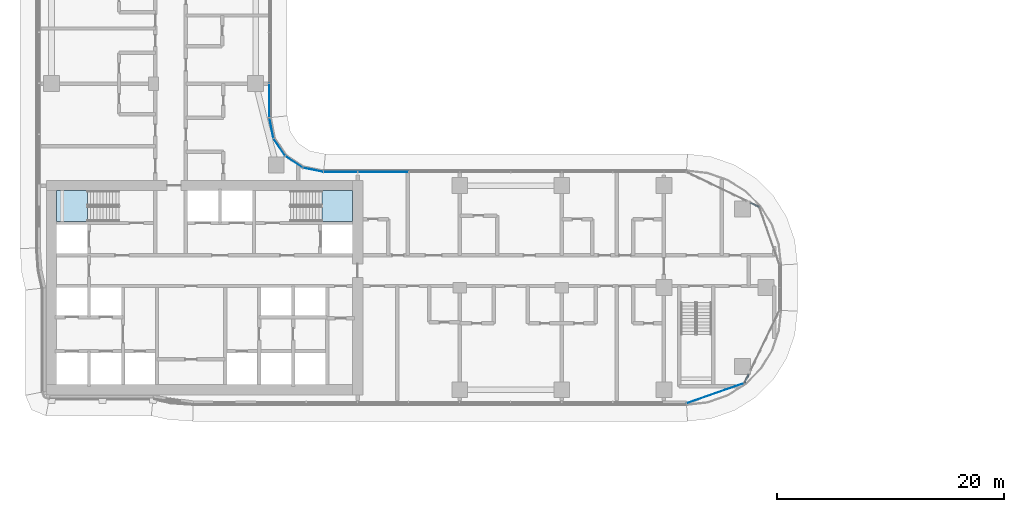
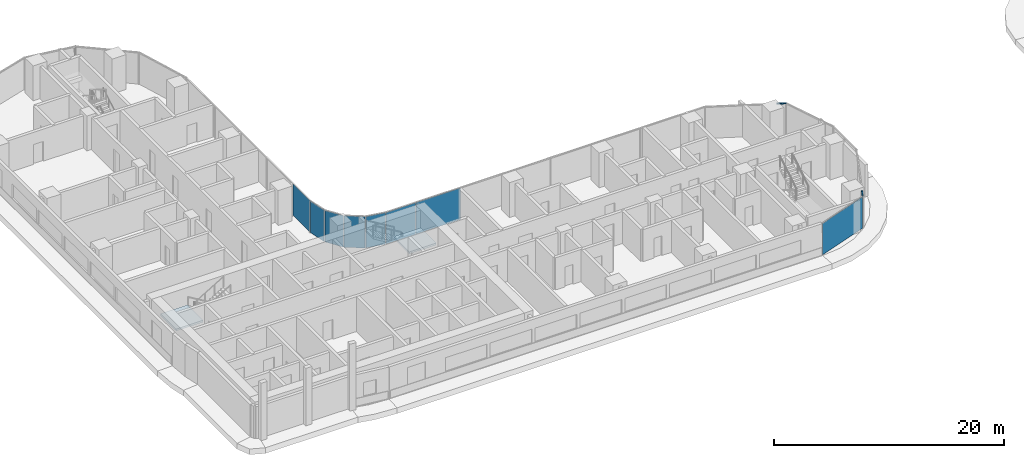
# One storey, part 14 of 39: 8 plates, 2 members, 2 slabs, 7 elements without a shape of their own.
"""IFC4 building model written with IfcOpenShell, lengths in metres."""

from ifc_helpers import new_model, si_unit, direction, frame, origin, origin_2d, place, context, subcontext, project, spatial, polyline, rectangle, outline, extrude, material, layer, layer_set, material_profile, profile_set, type_object, element, aggregate, save


model = new_model("IFC4")

# Units and contexts
model_context = context("Model", 3, precision=1e-05, world=origin(), true_north=direction((0.0, 1.0)))
body_context = subcontext(model_context, "Body", "Model", "MODEL_VIEW")
ifc_project = project(units=[si_unit("LENGTHUNIT", "METRE"), si_unit("AREAUNIT", "SQUARE_METRE"), si_unit("VOLUMEUNIT", "CUBIC_METRE"), si_unit("PLANEANGLEUNIT", "RADIAN"), si_unit("MASSUNIT", "GRAM", prefix="KILO")], contexts=[model_context])

# Site, building, storey
site_placement = place(None, origin())
site = spatial("IfcSite", under=ifc_project, at=site_placement, CompositionType="ELEMENT")
building_placement = place(site_placement, origin())
building = spatial("IfcBuilding", under=site, at=building_placement, Name="Ogive Portal Towers", CompositionType="ELEMENT")
storey_placement = place(building_placement, frame((0.0, 0.0, 44.60009765625)))
storey = spatial("IfcBuildingStorey", under=building, at=storey_placement, Name="L09", CompositionType="ELEMENT", Elevation=44.60009765625)

# Curtain wall, member
ifc_material_1 = material(Name="Glass, clear low-iron insulated glazing", Category="glass")
curtain_wall_type = type_object("IfcCurtainWallType", Name="CW FRONT RIBBON 4500", PredefinedType="NOTDEFINED", material=ifc_material_1)
curtain_wall_1_placement = place(storey_placement, origin())
curtain_wall_1 = element("IfcCurtainWall", 1, at=curtain_wall_1_placement, inside=storey, type_object=curtain_wall_type, Name="A:L09:f06:cwa~0", PredefinedType="NOTDEFINED")
ifc_material_2 = material(Name="Aluminium 6063 anodised", Category="aluminium")
ifc_material_profile = material_profile(ifc_material_2, rectangle(XDim=0.1201171875, YDim=0.06005859375, at=origin_2d()), Name="AL 120x60")
ifc_profile_set = profile_set([ifc_material_profile], Name="Aluminium 6063 anodised")
member_type = type_object("IfcMemberType", Name="CW TRANSOM 60x120", PredefinedType="USERDEFINED", material=ifc_profile_set)
member_1_placement = place(storey_placement, frame((92.60791015625, 22.087158203125, 3.369873046875), z_axis=(0.433902301551, 0.90095992847, 0.0), x_axis=(-0.90095992847, 0.433902301551, 0.0)))
member_1 = element("IfcMember", 2, at=member_1_placement, type_object=member_type, Name="transom", ObjectType="TRANSOM", PredefinedType="USERDEFINED", context=body_context, shape_type="SweptSolid", body=[
    extrude(rectangle(XDim=0.1201171875, YDim=0.06005859375, at=origin_2d()), origin(), (0.0, 0.0, 1.0), 0.846923828125),
])

curtain_wall_2_placement = place(storey_placement, origin())
curtain_wall_2 = element("IfcCurtainWall", 3, at=curtain_wall_2_placement, inside=storey, type_object=curtain_wall_type, Name="A:L09:f09:cwa~0", PredefinedType="NOTDEFINED")
member_2_placement = place(storey_placement, frame((93.912841796875, 37.60791015625, 3.369873046875), z_axis=(-0.90095992847, 0.433902301551, 0.0), x_axis=(-0.433902301551, -0.90095992847, 0.0)))
member_2 = element("IfcMember", 4, at=member_2_placement, type_object=member_type, Name="transom", ObjectType="TRANSOM", PredefinedType="USERDEFINED", context=body_context, shape_type="SweptSolid", body=[
    extrude(rectangle(XDim=0.1201171875, YDim=0.06005859375, at=origin_2d()), origin(), (0.0, 0.0, 1.0), 0.846923828125),
])
aggregate(curtain_wall_2, [member_2])

# Curtain wall, plates
curtain_wall_3_placement = place(storey_placement, origin())
curtain_wall_3 = element("IfcCurtainWall", 5, at=curtain_wall_3_placement, inside=storey, type_object=curtain_wall_type, Name="A:L09:f11:cw0", PredefinedType="NOTDEFINED")
ifc_layer_1 = layer(ifc_material_1, 0.028076171875)
ifc_layer_set_1 = layer_set([ifc_layer_1], Name="CW PANEL IGU 28")
plate_type = type_object("IfcPlateType", Name="CW PANEL IGU 28", PredefinedType="CURTAIN_PANEL", material=ifc_layer_set_1)
plate_1_placement = place(storey_placement, frame((60.75, 40.705078125, 0.0), z_axis=(0.0, 0.0, 1.0), x_axis=(-1.0, 0.0, 0.0)))
plate_1 = element("IfcPlate", 6, at=plate_1_placement, type_object=plate_type, Name="panel", PredefinedType="CURTAIN_PANEL", context=body_context, shape_type="SweptSolid", body=[
    extrude(rectangle(XDim=4.43994140625, YDim=0.028076171875, at=origin_2d()), origin(), (0.0, 0.0, 1.0), 3.340087890625),
])
plate_2_placement = place(storey_placement, frame((56.99609375, 40.705078125, 0.0), z_axis=(0.0, 0.0, 1.0), x_axis=(-1.0, 0.0, 0.0)))
plate_2 = element("IfcPlate", 7, at=plate_2_placement, type_object=plate_type, Name="panel", PredefinedType="CURTAIN_PANEL", context=body_context, shape_type="SweptSolid", body=[
    extrude(rectangle(XDim=2.947998046875, YDim=0.028076171875, at=origin_2d()), origin(), (0.0, 0.0, 1.0), 3.340087890625),
])
aggregate(curtain_wall_3, [plate_1, plate_2])

# Curtain wall, plate
curtain_wall_4_placement = place(storey_placement, origin())
curtain_wall_4 = element("IfcCurtainWall", 8, at=curtain_wall_4_placement, inside=storey, type_object=curtain_wall_type, Name="A:L09:f16:cw0", PredefinedType="NOTDEFINED")
plate_3_placement = place(storey_placement, frame((50.705078125, 46.99609375, 0.0), z_axis=(0.0, 0.0, 1.0), x_axis=(0.0, 1.0, 0.0)))
plate_3 = element("IfcPlate", 9, at=plate_3_placement, type_object=plate_type, Name="panel", PredefinedType="CURTAIN_PANEL", context=body_context, shape_type="SweptSolid", body=[
    extrude(rectangle(XDim=2.947998046875, YDim=0.028076171875, at=origin_2d()), origin(), (0.0, 0.0, 1.0), 3.340087890625),
])
aggregate(curtain_wall_4, [plate_3])

# Plate
plate_4_placement = place(storey_placement, frame((90.047119140625, 21.191162109375, 0.0), z_axis=(0.0, 0.0, 1.0), x_axis=(0.943883330307, 0.33027906196, 0.0)))
plate_4 = element("IfcPlate", 10, at=plate_4_placement, type_object=plate_type, Name="panel", PredefinedType="CURTAIN_PANEL", context=body_context, shape_type="SweptSolid", body=[
    extrude(rectangle(XDim=5.365966796875, YDim=0.028076171875, at=origin_2d()), origin(), (0.0, 0.0, 1.0), 3.340087890625),
])

aggregate(curtain_wall_1, [member_1, plate_4])

# Curtain wall, plates
curtain_wall_5_placement = place(storey_placement, origin())
curtain_wall_5 = element("IfcCurtainWall", 11, at=curtain_wall_5_placement, inside=storey, type_object=curtain_wall_type, Name="A:L09:f12:cwa", PredefinedType="NOTDEFINED")
plate_5_placement = place(storey_placement, frame((54.578369140625, 40.88671875, 0.0), z_axis=(0.0, 0.0, 1.0), x_axis=(-0.980785280403, 0.195090322016, 0.0)))
plate_5 = element("IfcPlate", 12, at=plate_5_placement, type_object=plate_type, Name="panel", PredefinedType="CURTAIN_PANEL", context=body_context, shape_type="SweptSolid", body=[
    extrude(rectangle(XDim=1.803466796875, YDim=0.028076171875, at=origin_2d()), origin(), (0.0, 0.0, 1.0), 3.340087890625),
])
plate_6_placement = place(storey_placement, frame((52.886474609375, 41.58837890625, 0.0), z_axis=(0.0, 0.0, 1.0), x_axis=(-0.831469612303, 0.55557023302, 0.0)))
plate_6 = element("IfcPlate", 13, at=plate_6_placement, type_object=plate_type, Name="panel", PredefinedType="CURTAIN_PANEL", context=body_context, shape_type="SweptSolid", body=[
    extrude(rectangle(XDim=1.8115234375, YDim=0.028076171875, at=origin_2d()), origin(), (0.0, 0.0, 1.0), 3.340087890625),
])
plate_7_placement = place(storey_placement, frame((51.58837890625, 42.886474609375, 0.0), z_axis=(0.0, 0.0, 1.0), x_axis=(-0.55557023302, 0.831469612303, 0.0)))
plate_7 = element("IfcPlate", 14, at=plate_7_placement, type_object=plate_type, Name="panel", PredefinedType="CURTAIN_PANEL", context=body_context, shape_type="SweptSolid", body=[
    extrude(rectangle(XDim=1.8115234375, YDim=0.028076171875, at=origin_2d()), origin(), (0.0, 0.0, 1.0), 3.340087890625),
])
plate_8_placement = place(storey_placement, frame((50.88671875, 44.578369140625, 0.0), z_axis=(0.0, 0.0, 1.0), x_axis=(-0.195090322016, 0.980785280403, 0.0)))
plate_8 = element("IfcPlate", 15, at=plate_8_placement, type_object=plate_type, Name="panel", PredefinedType="CURTAIN_PANEL", context=body_context, shape_type="SweptSolid", body=[
    extrude(rectangle(XDim=1.803466796875, YDim=0.028076171875, at=origin_2d()), origin(), (0.0, 0.0, 1.0), 3.340087890625),
])
aggregate(curtain_wall_5, [plate_5, plate_6, plate_7, plate_8])

# Stair, slab
ifc_material_3 = material(Name="Concrete C40/50", Category="concrete")
stair_type = type_object("IfcStairType", Name="INT-STAIR", PredefinedType="HALF_TURN_STAIR", material=ifc_material_3)
stair_1_placement = place(storey_placement, origin())
stair_1 = element("IfcStair", 16, at=stair_1_placement, inside=storey, type_object=stair_type, Name="L09 Exit Stair ST-A1", PredefinedType="HALF_TURN_STAIR")
ifc_layer_2 = layer(ifc_material_3, 0.199951171875)
ifc_layer_set_2 = layer_set([ifc_layer_2], Name="INT-LANDING")
slab_type = type_object("IfcSlabType", Name="INT-LANDING", PredefinedType="LANDING", material=ifc_layer_set_2)
slab_1_placement = place(storey_placement, frame((0.0, 0.0, 1.64990234375)))
slab_1 = element("IfcSlab", 17, at=slab_1_placement, type_object=slab_type, Name="ST-A1 landing 1", PredefinedType="LANDING", context=body_context, shape_type="SweptSolid", body=[
    extrude(outline(polyline([(34.64990234375, 39.050048828125), (31.949951171875, 39.050048828125), (31.949951171875, 36.35009765625), (34.64990234375, 36.35009765625), (34.64990234375, 39.050048828125)])), origin(), (0.0, 0.0, 1.0), 0.199951171875),
])
aggregate(stair_1, [slab_1])

stair_2_placement = place(storey_placement, origin())
stair_2 = element("IfcStair", 18, at=stair_2_placement, inside=storey, type_object=stair_type, Name="L09 Exit Stair ST-A2", PredefinedType="HALF_TURN_STAIR")
slab_2_placement = place(storey_placement, frame((0.0, 0.0, 1.64990234375)))
slab_2 = element("IfcSlab", 19, at=slab_2_placement, type_object=slab_type, Name="ST-A2 landing 1", PredefinedType="LANDING", context=body_context, shape_type="SweptSolid", body=[
    extrude(outline(polyline([(55.35009765625, 36.35009765625), (58.050048828125, 36.35009765625), (58.050048828125, 39.050048828125), (55.35009765625, 39.050048828125), (55.35009765625, 36.35009765625)])), origin(), (0.0, 0.0, 1.0), 0.199951171875),
])
aggregate(stair_2, [slab_2])

save(model, "model.ifc")
